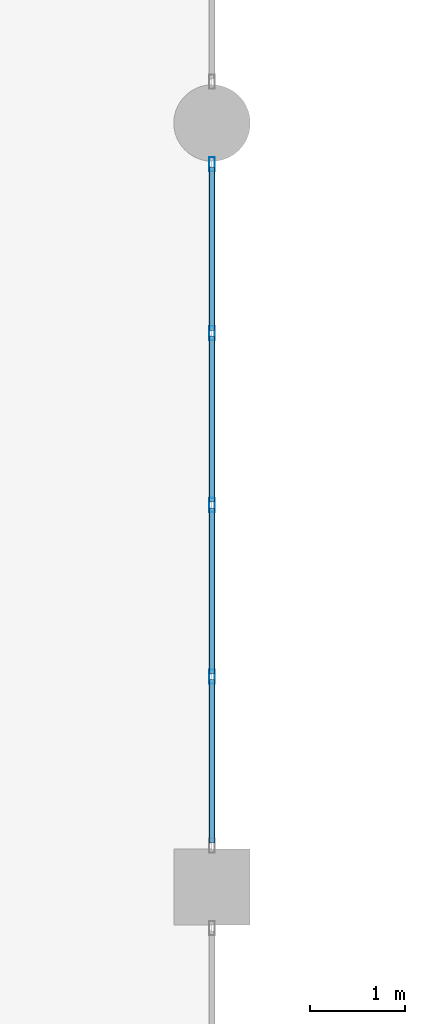
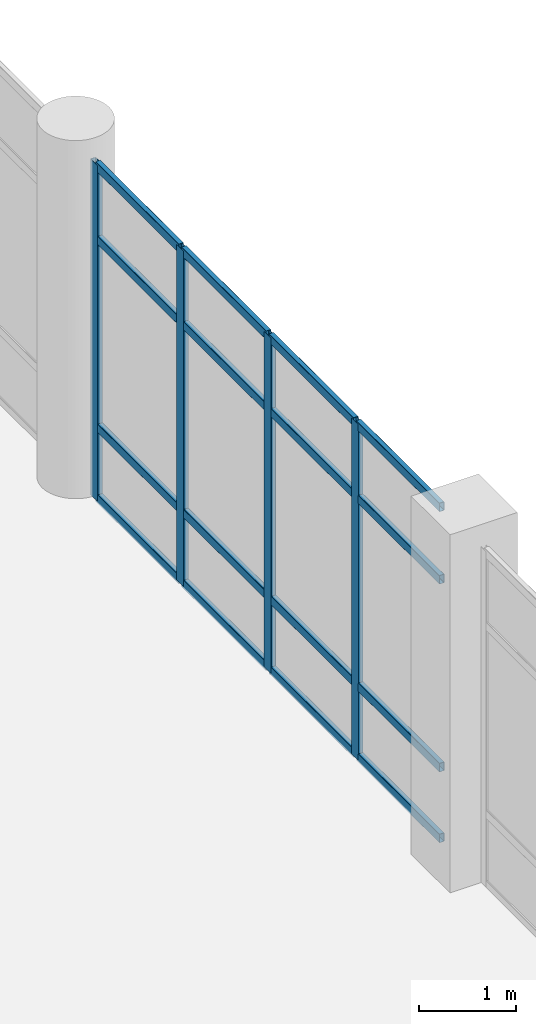
# One storey, part 22 of 42: 20 members, 1 element without a shape of its own.
"""IFC4 building model written with IfcOpenShell, lengths in metres."""

from ifc_helpers import new_model, si_unit, direction, frame, origin, origin_2d, place, context, subcontext, project, spatial, hollow_rectangle, extrude, material, material_profile, profile_set, type_object, element, aggregate, save


model = new_model("IFC4")

# Units and contexts
model_context = context("Model", 3, precision=1e-05, world=origin(), true_north=direction((0.0, 1.0)))
body_context = subcontext(model_context, "Body", "Model", "MODEL_VIEW")
ifc_project = project(units=[si_unit("LENGTHUNIT", "METRE"), si_unit("AREAUNIT", "SQUARE_METRE"), si_unit("VOLUMEUNIT", "CUBIC_METRE"), si_unit("PLANEANGLEUNIT", "RADIAN"), si_unit("MASSUNIT", "GRAM", prefix="KILO")], contexts=[model_context])

# Site, building, storey
site_placement = place(None, origin())
site = spatial("IfcSite", under=ifc_project, at=site_placement, CompositionType="ELEMENT")
building_placement = place(site_placement, origin())
building = spatial("IfcBuilding", under=site, at=building_placement, Name="Solmirada Galleria", CompositionType="ELEMENT")
storey_placement = place(building_placement, frame((0.0, 0.0, 28.39990234375)))
storey = spatial("IfcBuildingStorey", under=building, at=storey_placement, Name="L06", CompositionType="ELEMENT", Elevation=28.39990234375)

# Curtain wall, members
ifc_material_1 = material(Name="Impact-resistant low-E double glazing", Category="glass")
curtain_wall_type = type_object("IfcCurtainWallType", Name="CW-FZ3-L06-B4-L072", PredefinedType="NOTDEFINED", material=ifc_material_1)
curtain_wall_placement = place(storey_placement, origin())
curtain_wall = element("IfcCurtainWall", 1, at=curtain_wall_placement, inside=storey, type_object=curtain_wall_type, Name="Terrace and arcade storefront CW-L06-194", PredefinedType="NOTDEFINED")
ifc_material_2 = material(Name="Anodised aluminium framing", Category="aluminium")
ifc_material_profile_1 = material_profile(ifc_material_2, hollow_rectangle(XDim=0.06005859375, YDim=0.14990234375, WallThickness=0.00341796875, InnerFilletRadius=0.00341796875, OuterFilletRadius=0.007080078125, at=origin_2d()), Name="ALU-MULL-150X60")
ifc_profile_set_1 = profile_set([ifc_material_profile_1], Name="Anodised aluminium framing")
member_type_1 = type_object("IfcMemberType", Name="CW-MULL-150", PredefinedType="MULLION", material=ifc_profile_set_1)
member_1_placement = place(storey_placement, frame((112.0, 63.568115234375, 0.0), z_axis=(0.0, 0.0, 1.0), x_axis=(1.0, 0.0, 0.0)))
member_1 = element("IfcMember", 2, at=member_1_placement, type_object=member_type_1, Name="CW38 mullion 1", PredefinedType="MULLION", context=body_context, shape_type="SweptSolid", body=[
    extrude(hollow_rectangle(XDim=0.06005859375, YDim=0.14990234375, WallThickness=0.00341796875, InnerFilletRadius=0.00341796875, OuterFilletRadius=0.007080078125, at=origin_2d()), origin(), (0.0, 0.0, 1.0), 4.22021484375),
])
member_2_placement = place(storey_placement, frame((112.0, 61.799072265625, 0.0), z_axis=(0.0, 0.0, 1.0), x_axis=(1.0, 0.0, 0.0)))
member_2 = element("IfcMember", 3, at=member_2_placement, type_object=member_type_1, Name="CW38 mullion 2", PredefinedType="MULLION", context=body_context, shape_type="SweptSolid", body=[
    extrude(hollow_rectangle(XDim=0.06005859375, YDim=0.14990234375, WallThickness=0.00341796875, InnerFilletRadius=0.00341796875, OuterFilletRadius=0.007080078125, at=origin_2d()), origin(), (0.0, 0.0, 1.0), 4.22021484375),
])
member_3_placement = place(storey_placement, frame((112.0, 60.0, 0.0), z_axis=(0.0, 0.0, 1.0), x_axis=(1.0, 0.0, 0.0)))
member_3 = element("IfcMember", 4, at=member_3_placement, type_object=member_type_1, Name="CW38 mullion 3", PredefinedType="MULLION", context=body_context, shape_type="SweptSolid", body=[
    extrude(hollow_rectangle(XDim=0.06005859375, YDim=0.14990234375, WallThickness=0.00341796875, InnerFilletRadius=0.00341796875, OuterFilletRadius=0.007080078125, at=origin_2d()), origin(), (0.0, 0.0, 1.0), 4.22021484375),
])
member_4_placement = place(storey_placement, frame((112.0, 58.200927734375, 0.0), z_axis=(0.0, 0.0, 1.0), x_axis=(1.0, 0.0, 0.0)))
member_4 = element("IfcMember", 5, at=member_4_placement, type_object=member_type_1, Name="CW38 mullion 4", PredefinedType="MULLION", context=body_context, shape_type="SweptSolid", body=[
    extrude(hollow_rectangle(XDim=0.06005859375, YDim=0.14990234375, WallThickness=0.00341796875, InnerFilletRadius=0.00341796875, OuterFilletRadius=0.007080078125, at=origin_2d()), origin(), (0.0, 0.0, 1.0), 4.22021484375),
])
ifc_material_profile_2 = material_profile(ifc_material_2, hollow_rectangle(XDim=0.06005859375, YDim=0.110107421875, WallThickness=0.003173828125, InnerFilletRadius=0.003173828125, OuterFilletRadius=0.00634765625, at=origin_2d()), Name="ALU-TRAN-110X60")
ifc_profile_set_2 = profile_set([ifc_material_profile_2], Name="Anodised aluminium framing")
member_type_2 = type_object("IfcMemberType", Name="CW-TRAN-110", PredefinedType="USERDEFINED", material=ifc_profile_set_2)
member_5_placement = place(storey_placement, frame((112.0, 63.5380859375, 0.030029296875), z_axis=(0.0, -1.0, 0.0), x_axis=(1.0, 0.0, 0.0)))
member_5 = element("IfcMember", 6, at=member_5_placement, type_object=member_type_2, Name="CW38 transom 1.1", ObjectType="TRANSOM", PredefinedType="USERDEFINED", context=body_context, shape_type="SweptSolid", body=[
    extrude(hollow_rectangle(XDim=0.06005859375, YDim=0.110107421875, WallThickness=0.003173828125, InnerFilletRadius=0.003173828125, OuterFilletRadius=0.00634765625, at=origin_2d()), origin(), (0.0, 0.0, 1.0), 1.708984375),
])
member_6_placement = place(storey_placement, frame((112.0, 63.5380859375, 0.920166015625), z_axis=(0.0, -1.0, 0.0), x_axis=(1.0, 0.0, 0.0)))
member_6 = element("IfcMember", 7, at=member_6_placement, type_object=member_type_2, Name="CW38 transom 1.2", ObjectType="TRANSOM", PredefinedType="USERDEFINED", context=body_context, shape_type="SweptSolid", body=[
    extrude(hollow_rectangle(XDim=0.06005859375, YDim=0.110107421875, WallThickness=0.003173828125, InnerFilletRadius=0.003173828125, OuterFilletRadius=0.00634765625, at=origin_2d()), origin(), (0.0, 0.0, 1.0), 1.708984375),
])
member_7_placement = place(storey_placement, frame((112.0, 63.5380859375, 3.280029296875), z_axis=(0.0, -1.0, 0.0), x_axis=(1.0, 0.0, 0.0)))
member_7 = element("IfcMember", 8, at=member_7_placement, type_object=member_type_2, Name="CW38 transom 1.3", ObjectType="TRANSOM", PredefinedType="USERDEFINED", context=body_context, shape_type="SweptSolid", body=[
    extrude(hollow_rectangle(XDim=0.06005859375, YDim=0.110107421875, WallThickness=0.003173828125, InnerFilletRadius=0.003173828125, OuterFilletRadius=0.00634765625, at=origin_2d()), origin(), (0.0, 0.0, 1.0), 1.708984375),
])
member_8_placement = place(storey_placement, frame((112.0, 63.5380859375, 4.190185546875), z_axis=(0.0, -1.0, 0.0), x_axis=(1.0, 0.0, 0.0)))
member_8 = element("IfcMember", 9, at=member_8_placement, type_object=member_type_2, Name="CW38 transom 1.4", ObjectType="TRANSOM", PredefinedType="USERDEFINED", context=body_context, shape_type="SweptSolid", body=[
    extrude(hollow_rectangle(XDim=0.06005859375, YDim=0.110107421875, WallThickness=0.003173828125, InnerFilletRadius=0.003173828125, OuterFilletRadius=0.00634765625, at=origin_2d()), origin(), (0.0, 0.0, 1.0), 1.708984375),
])
member_9_placement = place(storey_placement, frame((112.0, 61.76904296875, 0.030029296875), z_axis=(0.0, -1.0, 0.0), x_axis=(1.0, 0.0, 0.0)))
member_9 = element("IfcMember", 10, at=member_9_placement, type_object=member_type_2, Name="CW38 transom 2.1", ObjectType="TRANSOM", PredefinedType="USERDEFINED", context=body_context, shape_type="SweptSolid", body=[
    extrude(hollow_rectangle(XDim=0.06005859375, YDim=0.110107421875, WallThickness=0.003173828125, InnerFilletRadius=0.003173828125, OuterFilletRadius=0.00634765625, at=origin_2d()), origin(), (0.0, 0.0, 1.0), 1.739013671875),
])
member_10_placement = place(storey_placement, frame((112.0, 61.76904296875, 0.920166015625), z_axis=(0.0, -1.0, 0.0), x_axis=(1.0, 0.0, 0.0)))
member_10 = element("IfcMember", 11, at=member_10_placement, type_object=member_type_2, Name="CW38 transom 2.2", ObjectType="TRANSOM", PredefinedType="USERDEFINED", context=body_context, shape_type="SweptSolid", body=[
    extrude(hollow_rectangle(XDim=0.06005859375, YDim=0.110107421875, WallThickness=0.003173828125, InnerFilletRadius=0.003173828125, OuterFilletRadius=0.00634765625, at=origin_2d()), origin(), (0.0, 0.0, 1.0), 1.739013671875),
])
member_11_placement = place(storey_placement, frame((112.0, 61.76904296875, 3.280029296875), z_axis=(0.0, -1.0, 0.0), x_axis=(1.0, 0.0, 0.0)))
member_11 = element("IfcMember", 12, at=member_11_placement, type_object=member_type_2, Name="CW38 transom 2.3", ObjectType="TRANSOM", PredefinedType="USERDEFINED", context=body_context, shape_type="SweptSolid", body=[
    extrude(hollow_rectangle(XDim=0.06005859375, YDim=0.110107421875, WallThickness=0.003173828125, InnerFilletRadius=0.003173828125, OuterFilletRadius=0.00634765625, at=origin_2d()), origin(), (0.0, 0.0, 1.0), 1.739013671875),
])
member_12_placement = place(storey_placement, frame((112.0, 61.76904296875, 4.190185546875), z_axis=(0.0, -1.0, 0.0), x_axis=(1.0, 0.0, 0.0)))
member_12 = element("IfcMember", 13, at=member_12_placement, type_object=member_type_2, Name="CW38 transom 2.4", ObjectType="TRANSOM", PredefinedType="USERDEFINED", context=body_context, shape_type="SweptSolid", body=[
    extrude(hollow_rectangle(XDim=0.06005859375, YDim=0.110107421875, WallThickness=0.003173828125, InnerFilletRadius=0.003173828125, OuterFilletRadius=0.00634765625, at=origin_2d()), origin(), (0.0, 0.0, 1.0), 1.739013671875),
])
member_13_placement = place(storey_placement, frame((112.0, 59.969970703125, 0.030029296875), z_axis=(0.0, -1.0, 0.0), x_axis=(1.0, 0.0, 0.0)))
member_13 = element("IfcMember", 14, at=member_13_placement, type_object=member_type_2, Name="CW38 transom 3.1", ObjectType="TRANSOM", PredefinedType="USERDEFINED", context=body_context, shape_type="SweptSolid", body=[
    extrude(hollow_rectangle(XDim=0.06005859375, YDim=0.110107421875, WallThickness=0.003173828125, InnerFilletRadius=0.003173828125, OuterFilletRadius=0.00634765625, at=origin_2d()), origin(), (0.0, 0.0, 1.0), 1.739013671875),
])
member_14_placement = place(storey_placement, frame((112.0, 59.969970703125, 0.920166015625), z_axis=(0.0, -1.0, 0.0), x_axis=(1.0, 0.0, 0.0)))
member_14 = element("IfcMember", 15, at=member_14_placement, type_object=member_type_2, Name="CW38 transom 3.2", ObjectType="TRANSOM", PredefinedType="USERDEFINED", context=body_context, shape_type="SweptSolid", body=[
    extrude(hollow_rectangle(XDim=0.06005859375, YDim=0.110107421875, WallThickness=0.003173828125, InnerFilletRadius=0.003173828125, OuterFilletRadius=0.00634765625, at=origin_2d()), origin(), (0.0, 0.0, 1.0), 1.739013671875),
])
member_15_placement = place(storey_placement, frame((112.0, 59.969970703125, 3.280029296875), z_axis=(0.0, -1.0, 0.0), x_axis=(1.0, 0.0, 0.0)))
member_15 = element("IfcMember", 16, at=member_15_placement, type_object=member_type_2, Name="CW38 transom 3.3", ObjectType="TRANSOM", PredefinedType="USERDEFINED", context=body_context, shape_type="SweptSolid", body=[
    extrude(hollow_rectangle(XDim=0.06005859375, YDim=0.110107421875, WallThickness=0.003173828125, InnerFilletRadius=0.003173828125, OuterFilletRadius=0.00634765625, at=origin_2d()), origin(), (0.0, 0.0, 1.0), 1.739013671875),
])
member_16_placement = place(storey_placement, frame((112.0, 59.969970703125, 4.190185546875), z_axis=(0.0, -1.0, 0.0), x_axis=(1.0, 0.0, 0.0)))
member_16 = element("IfcMember", 17, at=member_16_placement, type_object=member_type_2, Name="CW38 transom 3.4", ObjectType="TRANSOM", PredefinedType="USERDEFINED", context=body_context, shape_type="SweptSolid", body=[
    extrude(hollow_rectangle(XDim=0.06005859375, YDim=0.110107421875, WallThickness=0.003173828125, InnerFilletRadius=0.003173828125, OuterFilletRadius=0.00634765625, at=origin_2d()), origin(), (0.0, 0.0, 1.0), 1.739013671875),
])
member_17_placement = place(storey_placement, frame((112.0, 58.1708984375, 0.030029296875), z_axis=(0.0, -1.0, 0.0), x_axis=(1.0, 0.0, 0.0)))
member_17 = element("IfcMember", 18, at=member_17_placement, type_object=member_type_2, Name="CW38 transom 4.1", ObjectType="TRANSOM", PredefinedType="USERDEFINED", context=body_context, shape_type="SweptSolid", body=[
    extrude(hollow_rectangle(XDim=0.06005859375, YDim=0.110107421875, WallThickness=0.003173828125, InnerFilletRadius=0.003173828125, OuterFilletRadius=0.00634765625, at=origin_2d()), origin(), (0.0, 0.0, 1.0), 1.708984375),
])
member_18_placement = place(storey_placement, frame((112.0, 58.1708984375, 0.920166015625), z_axis=(0.0, -1.0, 0.0), x_axis=(1.0, 0.0, 0.0)))
member_18 = element("IfcMember", 19, at=member_18_placement, type_object=member_type_2, Name="CW38 transom 4.2", ObjectType="TRANSOM", PredefinedType="USERDEFINED", context=body_context, shape_type="SweptSolid", body=[
    extrude(hollow_rectangle(XDim=0.06005859375, YDim=0.110107421875, WallThickness=0.003173828125, InnerFilletRadius=0.003173828125, OuterFilletRadius=0.00634765625, at=origin_2d()), origin(), (0.0, 0.0, 1.0), 1.708984375),
])
member_19_placement = place(storey_placement, frame((112.0, 58.1708984375, 3.280029296875), z_axis=(0.0, -1.0, 0.0), x_axis=(1.0, 0.0, 0.0)))
member_19 = element("IfcMember", 20, at=member_19_placement, type_object=member_type_2, Name="CW38 transom 4.3", ObjectType="TRANSOM", PredefinedType="USERDEFINED", context=body_context, shape_type="SweptSolid", body=[
    extrude(hollow_rectangle(XDim=0.06005859375, YDim=0.110107421875, WallThickness=0.003173828125, InnerFilletRadius=0.003173828125, OuterFilletRadius=0.00634765625, at=origin_2d()), origin(), (0.0, 0.0, 1.0), 1.708984375),
])
member_20_placement = place(storey_placement, frame((112.0, 58.1708984375, 4.190185546875), z_axis=(0.0, -1.0, 0.0), x_axis=(1.0, 0.0, 0.0)))
member_20 = element("IfcMember", 21, at=member_20_placement, type_object=member_type_2, Name="CW38 transom 4.4", ObjectType="TRANSOM", PredefinedType="USERDEFINED", context=body_context, shape_type="SweptSolid", body=[
    extrude(hollow_rectangle(XDim=0.06005859375, YDim=0.110107421875, WallThickness=0.003173828125, InnerFilletRadius=0.003173828125, OuterFilletRadius=0.00634765625, at=origin_2d()), origin(), (0.0, 0.0, 1.0), 1.708984375),
])
aggregate(curtain_wall, [member_1, member_2, member_3, member_4, member_5, member_6, member_7, member_8, member_9, member_10, member_11, member_12, member_13, member_14, member_15, member_16, member_17, member_18, member_19, member_20])

save(model, "model.ifc")
